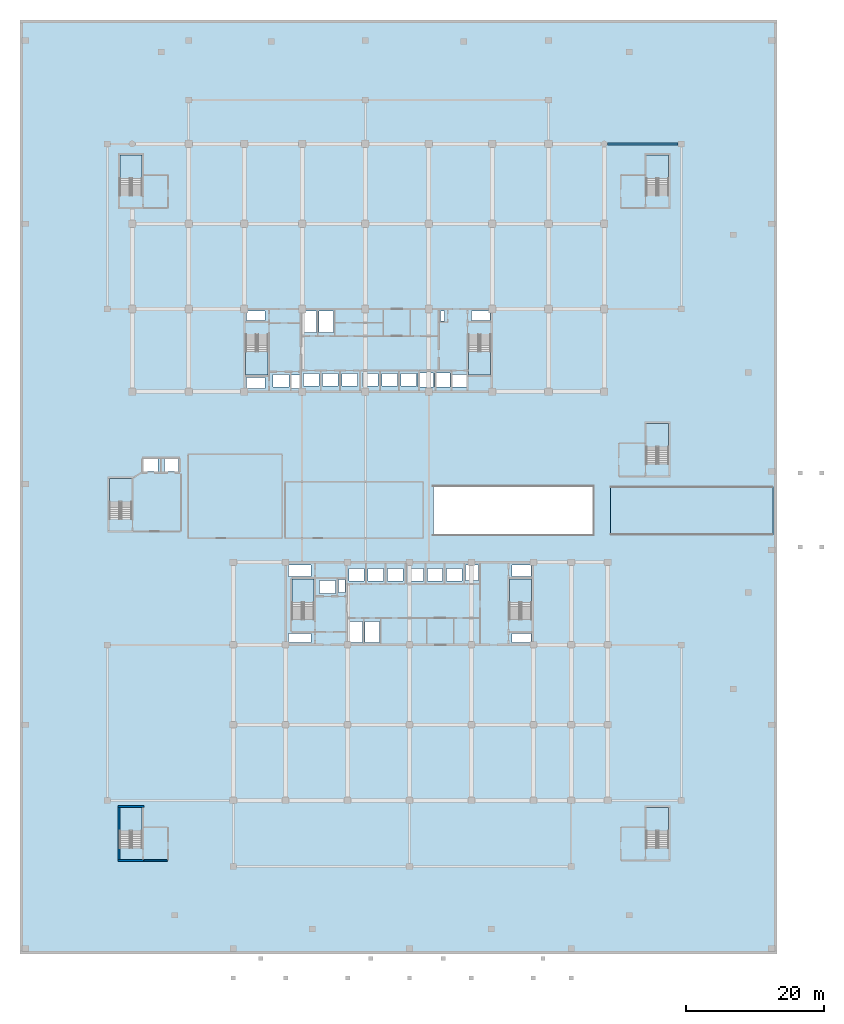
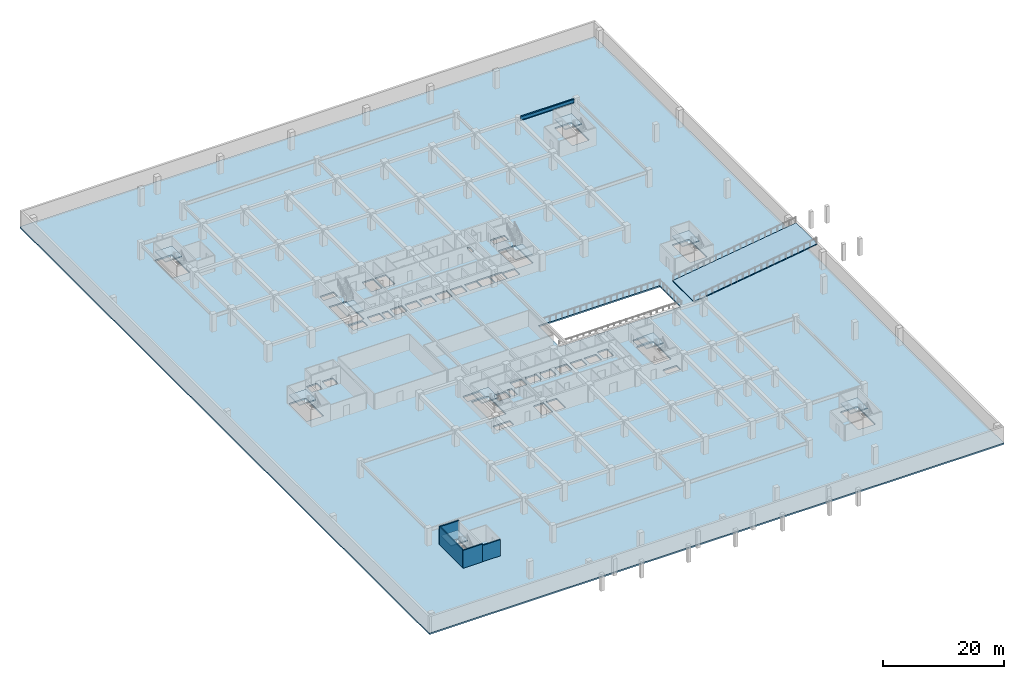
# One storey, part 3 of 23: 12 slabs, 4 walls, 1 beam, 10 elements without a shape of their own.
"""IFC4 building model written with IfcOpenShell, lengths in metres."""

from ifc_helpers import new_model, si_unit, direction, frame, frame_2d, origin, origin_2d, place, context, subcontext, project, spatial, polyline, rectangle, i_section, outline, extrude, material, layer, layer_set, material_profile, profile_set, type_object, element, aggregate, save


model = new_model("IFC4")

# Units and contexts
model_context = context("Model", 3, precision=1e-05, world=origin(), true_north=direction((0.0, 1.0)))
body_context = subcontext(model_context, "Body", "Model", "MODEL_VIEW")
ifc_project = project(units=[si_unit("LENGTHUNIT", "METRE"), si_unit("AREAUNIT", "SQUARE_METRE"), si_unit("VOLUMEUNIT", "CUBIC_METRE"), si_unit("PLANEANGLEUNIT", "RADIAN"), si_unit("MASSUNIT", "GRAM", prefix="KILO")], contexts=[model_context])

# Site, building, storey
site_placement = place(None, origin())
site = spatial("IfcSite", under=ifc_project, at=site_placement, CompositionType="ELEMENT")
building_placement = place(site_placement, origin())
building = spatial("IfcBuilding", under=site, at=building_placement, Name="Korimba Cascade Residences", CompositionType="ELEMENT")
storey_placement = place(building_placement, frame((0.0, 0.0, -3.60009765625)))
storey = spatial("IfcBuildingStorey", under=building, at=storey_placement, Name="B01", CompositionType="ELEMENT", Elevation=-3.60009765625)

# Beam
ifc_material_1 = material(Name="Steel S355", Category="steel")
ifc_material_profile = material_profile(ifc_material_1, i_section(OverallWidth=0.26806640625, OverallDepth=0.769775390625, WebThickness=0.015625, FlangeThickness=0.025390625, FilletRadius=0.0166015625, at=origin_2d()), Name="Steel S355")
ifc_profile_set = profile_set([ifc_material_profile], Name="Steel S355")
beam_type = type_object("IfcBeamType", Name="BM-STL-UB762", PredefinedType="BEAM", material=ifc_profile_set)
beam_placement = place(storey_placement, frame((128.875, 91.199951171875, 2.915283203125), z_axis=(1.0, 0.0, 0.0), x_axis=(0.0, 1.0, 0.0)))
element("IfcBeam", 1, at=beam_placement, inside=storey, type_object=beam_type, Name="B01 Podium Frame Girder E4", PredefinedType="BEAM", context=body_context, shape_type="SweptSolid", body=[
    extrude(i_section(OverallWidth=0.26806640625, OverallDepth=0.769775390625, WebThickness=0.015625, FlangeThickness=0.025390625, FilletRadius=0.0166015625, at=origin_2d()), origin(), (0.0, 0.0, 1.0), 10.25),
])

# Stair, slab
ifc_material_2 = material(Name="Concrete C50/60", Category="concrete")
stair_type_1 = type_object("IfcStairType", Name="STR-W1-20R-1800", PredefinedType="HALF_TURN_STAIR", material=ifc_material_2)
stair_1_placement = place(storey_placement, origin())
stair_1 = element("IfcStair", 2, at=stair_1_placement, inside=storey, type_object=stair_type_1, Name="B01 Tower 1 West Fire Stair ST-W1", PredefinedType="HALF_TURN_STAIR")
ifc_layer_1 = layer(ifc_material_2, 0.199951171875)
ifc_layer_set_1 = layer_set([ifc_layer_1], Name="Concrete C50/60")
slab_type_1 = type_object("IfcSlabType", Name="SLB-LND-220", PredefinedType="LANDING", material=ifc_layer_set_1)
slab_1_placement = place(storey_placement, frame((0.0, 0.0, 1.60009765625)))
slab_1 = element("IfcSlab", 3, at=slab_1_placement, type_object=slab_type_1, Name="ST-W1 landing 1", PredefinedType="LANDING", context=body_context, shape_type="SweptSolid", body=[
    extrude(outline(polyline([(76.300048828125, 61.030029296875), (76.300048828125, 57.60009765625), (79.5400390625, 57.60009765625), (79.5400390625, 61.030029296875), (76.300048828125, 61.030029296875)])), origin(), (0.0, 0.0, 1.0), 0.199951171875),
])
aggregate(stair_1, [slab_1])

stair_type_2 = type_object("IfcStairType", Name="STR-W2-20R-1800", PredefinedType="HALF_TURN_STAIR", material=ifc_material_2)
stair_2_placement = place(storey_placement, origin())
stair_2 = element("IfcStair", 4, at=stair_2_placement, inside=storey, type_object=stair_type_2, Name="B01 Tower 1 East Fire Stair ST-W2", PredefinedType="HALF_TURN_STAIR")
slab_2_placement = place(storey_placement, frame((0.0, 0.0, 1.60009765625)))
slab_2 = element("IfcSlab", 5, at=slab_2_placement, type_object=slab_type_1, Name="ST-W2 landing 1", PredefinedType="LANDING", context=body_context, shape_type="SweptSolid", body=[
    extrude(outline(polyline([(108.659912109375, 61.030029296875), (108.659912109375, 57.60009765625), (111.89990234375, 57.60009765625), (111.89990234375, 61.030029296875), (108.659912109375, 61.030029296875)])), origin(), (0.0, 0.0, 1.0), 0.199951171875),
])
aggregate(stair_2, [slab_2])

stair_type_3 = type_object("IfcStairType", Name="STR-E1-20R-1800", PredefinedType="HALF_TURN_STAIR", material=ifc_material_2)
stair_3_placement = place(storey_placement, origin())
stair_3 = element("IfcStair", 6, at=stair_3_placement, inside=storey, type_object=stair_type_3, Name="B01 Tower 2 West Fire Stair ST-E1", PredefinedType="HALF_TURN_STAIR")
slab_3_placement = place(storey_placement, frame((0.0, 0.0, 1.60009765625)))
slab_3 = element("IfcSlab", 7, at=slab_3_placement, type_object=slab_type_1, Name="ST-E1 landing 1", PredefinedType="LANDING", context=body_context, shape_type="SweptSolid", body=[
    extrude(outline(polyline([(86.239990234375, 24.570068359375), (86.239990234375, 28.0), (83.0, 28.0), (83.0, 24.570068359375), (86.239990234375, 24.570068359375)])), origin(), (0.0, 0.0, 1.0), 0.199951171875),
])
aggregate(stair_3, [slab_3])

stair_type_4 = type_object("IfcStairType", Name="STR-E2-20R-1800", PredefinedType="HALF_TURN_STAIR", material=ifc_material_2)
stair_4_placement = place(storey_placement, origin())
stair_4 = element("IfcStair", 8, at=stair_4_placement, inside=storey, type_object=stair_type_4, Name="B01 Tower 2 East Fire Stair ST-E2", PredefinedType="HALF_TURN_STAIR")
slab_4_placement = place(storey_placement, frame((0.0, 0.0, 1.60009765625)))
slab_4 = element("IfcSlab", 9, at=slab_4_placement, type_object=slab_type_1, Name="ST-E2 landing 1", PredefinedType="LANDING", context=body_context, shape_type="SweptSolid", body=[
    extrude(outline(polyline([(117.840087890625, 24.570068359375), (117.840087890625, 28.0), (114.60009765625, 28.0), (114.60009765625, 24.570068359375), (117.840087890625, 24.570068359375)])), origin(), (0.0, 0.0, 1.0), 0.199951171875),
])
aggregate(stair_4, [slab_4])

stair_type_5 = type_object("IfcStairType", Name="STR-P1-20R-1800", PredefinedType="HALF_TURN_STAIR", material=ifc_material_2)
stair_5_placement = place(storey_placement, origin())
stair_5 = element("IfcStair", 10, at=stair_5_placement, inside=storey, type_object=stair_type_5, Name="B01 Podium West Fire Stair ST-P1", PredefinedType="HALF_TURN_STAIR")
slab_5_placement = place(storey_placement, frame((0.0, 0.0, 1.60009765625)))
slab_5 = element("IfcSlab", 11, at=slab_5_placement, type_object=slab_type_1, Name="ST-P1 landing 1", PredefinedType="LANDING", context=body_context, shape_type="SweptSolid", body=[
    extrude(outline(polyline([(59.739990234375, 39.169921875), (59.739990234375, 42.60009765625), (56.5, 42.60009765625), (56.5, 39.169921875), (59.739990234375, 39.169921875)])), origin(), (0.0, 0.0, 1.0), 0.199951171875),
])
aggregate(stair_5, [slab_5])

stair_type_6 = type_object("IfcStairType", Name="STR-P2-20R-1800", PredefinedType="HALF_TURN_STAIR", material=ifc_material_2)
stair_6_placement = place(storey_placement, origin())
stair_6 = element("IfcStair", 12, at=stair_6_placement, inside=storey, type_object=stair_type_6, Name="B01 Podium East Fire Stair ST-P2", PredefinedType="HALF_TURN_STAIR")
slab_6_placement = place(storey_placement, frame((0.0, 0.0, 1.60009765625)))
slab_6 = element("IfcSlab", 13, at=slab_6_placement, type_object=slab_type_1, Name="ST-P2 landing 1", PredefinedType="LANDING", context=body_context, shape_type="SweptSolid", body=[
    extrude(outline(polyline([(137.739990234375, 47.169921875), (137.739990234375, 50.60009765625), (134.5, 50.60009765625), (134.5, 47.169921875), (137.739990234375, 47.169921875)])), origin(), (0.0, 0.0, 1.0), 0.199951171875),
])
aggregate(stair_6, [slab_6])

stair_type_7 = type_object("IfcStairType", Name="STR-P3-20R-1800", PredefinedType="HALF_TURN_STAIR", material=ifc_material_2)
stair_7_placement = place(storey_placement, origin())
stair_7 = element("IfcStair", 14, at=stair_7_placement, inside=storey, type_object=stair_type_7, Name="B01 Podium South-West Corner Fire Stair ST-P3", PredefinedType="HALF_TURN_STAIR")
slab_7_placement = place(storey_placement, frame((0.0, 0.0, 1.60009765625)))
slab_7 = element("IfcSlab", 15, at=slab_7_placement, type_object=slab_type_1, Name="ST-P3 landing 1", PredefinedType="LANDING", context=body_context, shape_type="SweptSolid", body=[
    extrude(outline(polyline([(61.239990234375, -8.6298828125), (61.239990234375, -5.199951171875), (58.0, -5.199951171875), (58.0, -8.6298828125), (61.239990234375, -8.6298828125)])), origin(), (0.0, 0.0, 1.0), 0.199951171875),
])
aggregate(stair_7, [slab_7])

stair_type_8 = type_object("IfcStairType", Name="STR-P4-20R-1800", PredefinedType="HALF_TURN_STAIR", material=ifc_material_2)
stair_8_placement = place(storey_placement, origin())
stair_8 = element("IfcStair", 16, at=stair_8_placement, inside=storey, type_object=stair_type_8, Name="B01 Podium North-East Corner Fire Stair ST-P4", PredefinedType="HALF_TURN_STAIR")
slab_8_placement = place(storey_placement, frame((0.0, 0.0, 1.60009765625)))
slab_8 = element("IfcSlab", 17, at=slab_8_placement, type_object=slab_type_1, Name="ST-P4 landing 1", PredefinedType="LANDING", context=body_context, shape_type="SweptSolid", body=[
    extrude(outline(polyline([(137.739990234375, 86.169921875), (137.739990234375, 89.60009765625), (134.5, 89.60009765625), (134.5, 86.169921875), (137.739990234375, 86.169921875)])), origin(), (0.0, 0.0, 1.0), 0.199951171875),
])
aggregate(stair_8, [slab_8])

stair_type_9 = type_object("IfcStairType", Name="STR-P5-20R-1800", PredefinedType="HALF_TURN_STAIR", material=ifc_material_2)
stair_9_placement = place(storey_placement, origin())
stair_9 = element("IfcStair", 18, at=stair_9_placement, inside=storey, type_object=stair_type_9, Name="B01 Podium North-West Corner Fire Stair ST-P5", PredefinedType="HALF_TURN_STAIR")
slab_9_placement = place(storey_placement, frame((0.0, 0.0, 1.60009765625)))
slab_9 = element("IfcSlab", 19, at=slab_9_placement, type_object=slab_type_1, Name="ST-P5 landing 1", PredefinedType="LANDING", context=body_context, shape_type="SweptSolid", body=[
    extrude(outline(polyline([(61.239990234375, 86.169921875), (61.239990234375, 89.60009765625), (58.0, 89.60009765625), (58.0, 86.169921875), (61.239990234375, 86.169921875)])), origin(), (0.0, 0.0, 1.0), 0.199951171875),
])
aggregate(stair_9, [slab_9])

stair_type_10 = type_object("IfcStairType", Name="STR-P6-20R-1800", PredefinedType="HALF_TURN_STAIR", material=ifc_material_2)
stair_10_placement = place(storey_placement, origin())
stair_10 = element("IfcStair", 20, at=stair_10_placement, inside=storey, type_object=stair_type_10, Name="B01 Podium South-East Corner Fire Stair ST-P6", PredefinedType="HALF_TURN_STAIR")
slab_10_placement = place(storey_placement, frame((0.0, 0.0, 1.60009765625)))
slab_10 = element("IfcSlab", 21, at=slab_10_placement, type_object=slab_type_1, Name="ST-P6 landing 1", PredefinedType="LANDING", context=body_context, shape_type="SweptSolid", body=[
    extrude(outline(polyline([(137.739990234375, -8.6298828125), (137.739990234375, -5.199951171875), (134.5, -5.199951171875), (134.5, -8.6298828125), (137.739990234375, -8.6298828125)])), origin(), (0.0, 0.0, 1.0), 0.199951171875),
])
aggregate(stair_10, [slab_10])

# Slabs
ifc_layer_2 = layer(ifc_material_2, 0.179931640625)
ifc_layer_set_2 = layer_set([ifc_layer_2], Name="Concrete C50/60")
slab_type_2 = type_object("IfcSlabType", Name="SLB-RAMP-300", PredefinedType="USERDEFINED", material=ifc_layer_set_2)
slab_11_placement = place(storey_placement, frame((129.280029296875, 34.39990234375, 0.16015625), z_axis=(-0.14399771054, 0.0, 0.989578020855), x_axis=(0.989578020855, 0.0, 0.14399771054)))
element("IfcSlab", 22, at=slab_11_placement, inside=storey, type_object=slab_type_2, Name="Car Park Vehicle Ramp Slab B01", ObjectType="RAMP", PredefinedType="USERDEFINED", context=body_context, shape_type="SweptSolid", body=[
    extrude(outline(polyline([(0.0, 0.0), (23.888916015625, 0.0), (23.888916015625, 7.0), (0.0, 7.0), (0.0, 0.0)])), origin(), (0.0, 0.0, -1.0), 0.179931640625),
])
ifc_layer_3 = layer(ifc_material_2, 0.300048828125)
ifc_layer_set_3 = layer_set([ifc_layer_3], Name="Concrete C50/60")
slab_type_3 = type_object("IfcSlabType", Name="SLB-SUB-300", PredefinedType="FLOOR", material=ifc_layer_set_3)
slab_12_placement = place(storey_placement, frame((0.0, 0.0, -0.2998046875)))
element("IfcSlab", 23, at=slab_12_placement, inside=storey, type_object=slab_type_3, Name="B01 Car Park Structural Slab", PredefinedType="FLOOR", context=body_context, shape_type="SweptSolid", body=[
    extrude(outline(polyline([(43.5, -26.5), (153.5, -26.5), (153.5, 109.199951171875), (43.5, 109.199951171875), (43.5, -26.5)]), holes=[polyline([(76.300048828125, 63.514892578125), (76.300048828125, 57.60009765625), (79.5400390625, 57.60009765625), (79.5400390625, 63.514892578125), (76.300048828125, 63.514892578125)]), polyline([(108.659912109375, 63.514892578125), (108.659912109375, 57.60009765625), (111.89990234375, 57.60009765625), (111.89990234375, 63.514892578125), (108.659912109375, 63.514892578125)]), polyline([(86.239990234375, 22.0849609375), (86.239990234375, 28.0), (83.0, 28.0), (83.0, 22.0849609375), (86.239990234375, 22.0849609375)]), polyline([(117.840087890625, 22.0849609375), (117.840087890625, 28.0), (114.60009765625, 28.0), (114.60009765625, 22.0849609375), (117.840087890625, 22.0849609375)]), polyline([(59.739990234375, 36.68505859375), (59.739990234375, 42.60009765625), (56.5, 42.60009765625), (56.5, 36.68505859375), (59.739990234375, 36.68505859375)]), polyline([(137.739990234375, 44.68505859375), (137.739990234375, 50.60009765625), (134.5, 50.60009765625), (134.5, 44.68505859375), (137.739990234375, 44.68505859375)]), polyline([(61.239990234375, -11.114990234375), (61.239990234375, -5.199951171875), (58.0, -5.199951171875), (58.0, -11.114990234375), (61.239990234375, -11.114990234375)]), polyline([(137.739990234375, 83.68505859375), (137.739990234375, 89.60009765625), (134.5, 89.60009765625), (134.5, 83.68505859375), (137.739990234375, 83.68505859375)]), polyline([(61.239990234375, 83.68505859375), (61.239990234375, 89.60009765625), (58.0, 89.60009765625), (58.0, 83.68505859375), (61.239990234375, 83.68505859375)]), polyline([(137.739990234375, -11.114990234375), (137.739990234375, -5.199951171875), (134.5, -5.199951171875), (134.5, -11.114990234375), (137.739990234375, -11.114990234375)]), polyline([(80.22998046875, 55.8798828125), (82.570068359375, 55.8798828125), (82.570068359375, 57.719970703125), (80.22998046875, 57.719970703125), (80.22998046875, 55.8798828125)]), polyline([(106.080078125, 55.8798828125), (108.419921875, 55.8798828125), (108.419921875, 57.719970703125), (106.080078125, 57.719970703125), (106.080078125, 55.8798828125)]), polyline([(87.030029296875, 25.8798828125), (89.3701171875, 25.8798828125), (89.3701171875, 27.719970703125), (87.030029296875, 27.719970703125), (87.030029296875, 25.8798828125)]), polyline([(84.679931640625, 55.97998046875), (86.919921875, 55.97998046875), (86.919921875, 57.820068359375), (84.679931640625, 57.820068359375), (84.679931640625, 55.97998046875)]), polyline([(87.47998046875, 55.97998046875), (89.719970703125, 55.97998046875), (89.719970703125, 57.820068359375), (87.47998046875, 57.820068359375), (87.47998046875, 55.97998046875)]), polyline([(90.280029296875, 55.97998046875), (92.52001953125, 55.97998046875), (92.52001953125, 57.820068359375), (90.280029296875, 57.820068359375), (90.280029296875, 55.97998046875)]), polyline([(93.280029296875, 55.97998046875), (95.52001953125, 55.97998046875), (95.52001953125, 57.820068359375), (93.280029296875, 57.820068359375), (93.280029296875, 55.97998046875)]), polyline([(96.080078125, 55.97998046875), (98.320068359375, 55.97998046875), (98.320068359375, 57.820068359375), (96.080078125, 57.820068359375), (96.080078125, 55.97998046875)]), polyline([(98.8798828125, 55.97998046875), (101.1201171875, 55.97998046875), (101.1201171875, 57.820068359375), (98.8798828125, 57.820068359375), (98.8798828125, 55.97998046875)]), polyline([(101.304931640625, 55.8798828125), (103.594970703125, 55.8798828125), (103.594970703125, 57.919921875), (101.304931640625, 57.919921875), (101.304931640625, 55.8798828125)]), polyline([(103.705078125, 55.8798828125), (105.9951171875, 55.8798828125), (105.9951171875, 57.919921875), (103.705078125, 57.919921875), (103.705078125, 55.8798828125)]), polyline([(91.280029296875, 27.679931640625), (93.52001953125, 27.679931640625), (93.52001953125, 29.52001953125), (91.280029296875, 29.52001953125), (91.280029296875, 27.679931640625)]), polyline([(94.080078125, 27.679931640625), (96.320068359375, 27.679931640625), (96.320068359375, 29.52001953125), (94.080078125, 29.52001953125), (94.080078125, 27.679931640625)]), polyline([(96.8798828125, 27.679931640625), (99.1201171875, 27.679931640625), (99.1201171875, 29.52001953125), (96.8798828125, 29.52001953125), (96.8798828125, 27.679931640625)]), polyline([(99.8798828125, 27.679931640625), (102.1201171875, 27.679931640625), (102.1201171875, 29.52001953125), (99.8798828125, 29.52001953125), (99.8798828125, 27.679931640625)]), polyline([(102.679931640625, 27.679931640625), (104.919921875, 27.679931640625), (104.919921875, 29.52001953125), (102.679931640625, 29.52001953125), (102.679931640625, 27.679931640625)]), polyline([(105.47998046875, 27.679931640625), (107.719970703125, 27.679931640625), (107.719970703125, 29.52001953125), (105.47998046875, 29.52001953125), (105.47998046875, 27.679931640625)]), polyline([(61.47998046875, 43.580078125), (63.52001953125, 43.580078125), (63.52001953125, 45.419921875), (61.47998046875, 45.419921875), (61.47998046875, 43.580078125)]), polyline([(64.47998046875, 43.580078125), (66.52001953125, 43.580078125), (66.52001953125, 45.419921875), (64.47998046875, 45.419921875), (64.47998046875, 43.580078125)]), polyline([(82.97998046875, 55.679931640625), (84.080078125, 55.679931640625), (84.080078125, 57.6201171875), (82.97998046875, 57.6201171875), (82.97998046875, 55.679931640625)]), polyline([(76.39990234375, 65.56005859375), (79.10009765625, 65.56005859375), (79.10009765625, 66.8798828125), (76.39990234375, 66.8798828125), (76.39990234375, 65.56005859375)]), polyline([(76.39990234375, 55.679931640625), (79.10009765625, 55.679931640625), (79.10009765625, 57.239990234375), (76.39990234375, 57.239990234375), (76.39990234375, 55.679931640625)]), polyline([(84.530029296875, 63.820068359375), (86.6201171875, 63.820068359375), (86.6201171875, 66.8798828125), (84.530029296875, 66.8798828125), (84.530029296875, 63.820068359375)]), polyline([(86.97998046875, 63.820068359375), (89.070068359375, 63.820068359375), (89.070068359375, 66.8798828125), (86.97998046875, 66.8798828125), (86.97998046875, 63.820068359375)]), polyline([(104.6201171875, 65.4599609375), (105.179931640625, 65.4599609375), (105.179931640625, 66.8798828125), (104.6201171875, 66.8798828125), (104.6201171875, 65.4599609375)]), polyline([(109.080078125, 65.56005859375), (111.800048828125, 65.56005859375), (111.800048828125, 66.8798828125), (109.080078125, 66.8798828125), (109.080078125, 65.56005859375)]), polyline([(89.780029296875, 25.97998046875), (90.719970703125, 25.97998046875), (90.719970703125, 27.919921875), (89.780029296875, 27.919921875), (89.780029296875, 25.97998046875)]), polyline([(82.530029296875, 18.72998046875), (85.800048828125, 18.72998046875), (85.800048828125, 20.0400390625), (82.530029296875, 20.0400390625), (82.530029296875, 18.72998046875)]), polyline([(82.530029296875, 28.360107421875), (85.800048828125, 28.360107421875), (85.800048828125, 29.969970703125), (82.530029296875, 29.969970703125), (82.530029296875, 28.360107421875)]), polyline([(108.22998046875, 27.780029296875), (110.1201171875, 27.780029296875), (110.1201171875, 29.969970703125), (108.22998046875, 29.969970703125), (108.22998046875, 27.780029296875)]), polyline([(91.22998046875, 18.72998046875), (93.27001953125, 18.72998046875), (93.27001953125, 21.780029296875), (91.22998046875, 21.780029296875), (91.22998046875, 18.72998046875)]), polyline([(93.6298828125, 18.72998046875), (95.719970703125, 18.72998046875), (95.719970703125, 21.780029296875), (93.6298828125, 21.780029296875), (93.6298828125, 18.72998046875)]), polyline([(115.02001953125, 18.72998046875), (117.739990234375, 18.72998046875), (117.739990234375, 20.0400390625), (115.02001953125, 20.0400390625), (115.02001953125, 18.72998046875)]), polyline([(115.02001953125, 28.360107421875), (117.739990234375, 28.360107421875), (117.739990234375, 29.969970703125), (115.02001953125, 29.969970703125), (115.02001953125, 28.360107421875)]), polyline([(103.60009765625, 34.39990234375), (126.800048828125, 34.39990234375), (126.800048828125, 41.39990234375), (103.60009765625, 41.39990234375), (103.60009765625, 34.39990234375)])]), origin(), (0.0, 0.0, 1.0), 0.2998046875),
])

# Walls
ifc_material_3 = material(Name="Concrete C40/50", Category="concrete")
ifc_layer_4 = layer(ifc_material_3, 0.199951171875)
ifc_layer_set_4 = layer_set([ifc_layer_4], Name="Concrete C40/50")
wall_type_1 = type_object("IfcWallType", Name="WAL-PART-200", PredefinedType="PARTITIONING", material=ifc_layer_set_4)
wall_1_placement = place(storey_placement, frame((61.5, -12.925048828125, 0.0), z_axis=(0.0, 0.0, 1.0), x_axis=(1.0, 0.0, 0.0)))
element("IfcWall", 24, at=wall_1_placement, inside=storey, type_object=wall_type_1, Name="B01 Partition Wall CW-B01-PL3S", PredefinedType="PARTITIONING", context=body_context, shape_type="SweptSolid", body=[
    extrude(rectangle(XDim=3.39990234375, YDim=0.199951171875, at=frame_2d((1.699951171875, 0.0))), origin(), (0.0, 0.0, 1.0), 3.300048828125),
])
ifc_layer_5 = layer(ifc_material_2, 0.25)
ifc_layer_set_5 = layer_set([ifc_layer_5], Name="Concrete C50/60")
wall_type_2 = type_object("IfcWallType", Name="WAL-SHAFT-250", PredefinedType="SHEAR", material=ifc_layer_set_5)
wall_2_placement = place(storey_placement, frame((57.875, -12.800048828125, 0.0), z_axis=(0.0, 0.0, 1.0), x_axis=(0.0, 1.0, 0.0)))
element("IfcWall", 25, at=wall_2_placement, inside=storey, type_object=wall_type_2, Name="B01 Core Shear Wall CW-B01-STP3W", PredefinedType="SHEAR", context=body_context, shape_type="SweptSolid", body=[
    extrude(rectangle(XDim=7.60009765625, YDim=0.25, at=frame_2d((3.800048828125, 0.0))), origin(), (0.0, 0.0, 1.0), 3.60009765625),
])
for number, where, z_axis, x_axis, name in (
    (26, (57.75, -12.925048828125, 0.0), (0.0, 0.0, 1.0), (1.0, 0.0, 0.0), "B01 Core Shear Wall CW-B01-STP3S"),
    (27, (57.75, -5.074951171875, 0.0), (0.0, 0.0, 1.0), (1.0, 0.0, 0.0), "B01 Core Shear Wall CW-B01-STP3N"),
):
    element("IfcWall", number, at=place(storey_placement, frame(where, z_axis=z_axis, x_axis=x_axis)), inside=storey, type_object=wall_type_2, Name=name, PredefinedType="SHEAR", context=body_context, shape_type="SweptSolid", body=[
        extrude(rectangle(XDim=3.739990234375, YDim=0.25, at=frame_2d((1.8701171875, 0.0))), origin(), (0.0, 0.0, 1.0), 3.60009765625),
    ])

save(model, "model.ifc")
